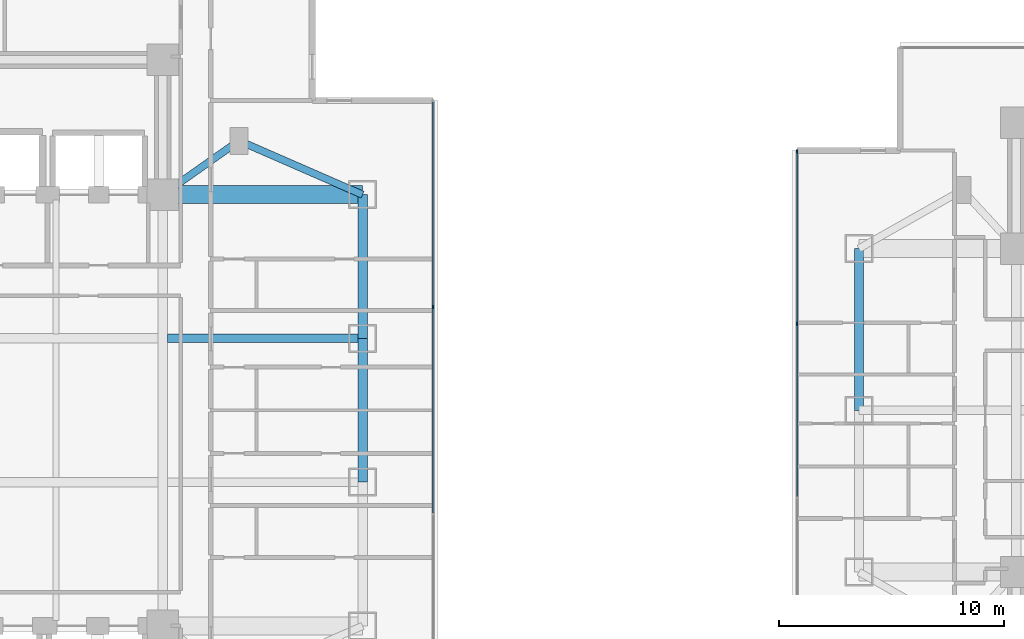
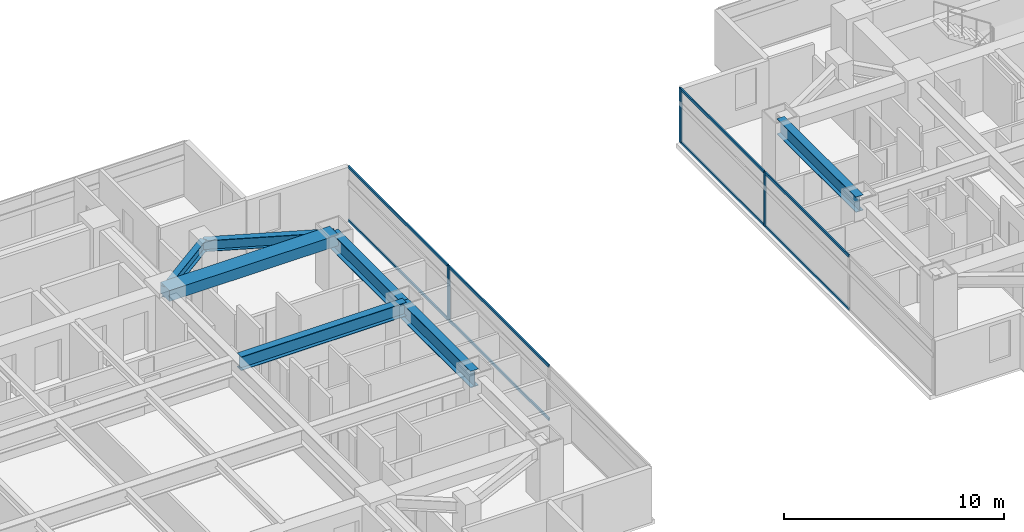
# One storey, part 5 of 23: 11 members, 7 beams, 2 elements without a shape of their own.
"""IFC4 building model written with IfcOpenShell, lengths in metres."""

import ifcopenshell
import ifcopenshell.guid

model = None  # the IFC model being written
_history = None  # IfcOwnerHistory: only IFC2X3 demands one
_inside = {}  # id of a spatial element -> (the spatial element, [elements in it])
_under = {}  # id of a project, library or spatial element -> (it, [spatial elements below it])
_declared = {}  # id of a project -> (the project, [libraries it declares])
_typed = {}  # id of a type object -> (the type object, [elements of that type])
_made_of = {}  # id of a material, layer set ... -> (it, [elements and type objects made of it])


def new_model(schema):
    """Start an empty IFC model of exactly this schema.

    Asked for "IFC4X3", IfcOpenShell would pick the latest addendum, in which some entities
    have other attributes; the version numbers below select the first issue.
    IFC2X3 requires an IfcOwnerHistory on every rooted entity: one is made here for all.
    """
    global model, _history
    if schema == "IFC4X3":
        model = ifcopenshell.file(schema_version=(4, 3, 0, 0))
    else:
        model = ifcopenshell.file(schema=schema)
    _inside.clear()
    _under.clear()
    _declared.clear()
    _typed.clear()
    _made_of.clear()
    _history = None
    if model.schema == "IFC2X3":
        org = make("IfcOrganization", Name="unknown")
        user = make(
            "IfcPersonAndOrganization",
            ThePerson=make("IfcPerson", FamilyName="unknown"),
            TheOrganization=org,
        )
        app = make(
            "IfcApplication",
            ApplicationDeveloper=org,
            Version="unknown",
            ApplicationFullName="unknown",
            ApplicationIdentifier="unknown",
        )
        _history = make(
            "IfcOwnerHistory",
            OwningUser=user,
            OwningApplication=app,
            ChangeAction="ADDED",
            CreationDate=0,
        )
    return model


def make(cls, **values):
    """One entity of the class cls with the attributes given. An attribute that is None is left unset."""
    return model.create_entity(
        cls, **{name: value for name, value in values.items() if value is not None}
    )


def rooted(cls, **values):
    """An entity with a GlobalId (a new one), such as an element, a storey or a relation."""
    return make(cls, GlobalId=ifcopenshell.guid.new(), OwnerHistory=_history, **values)


def si_unit(unit_type, name, prefix=None):
    """IfcSIUnit, for example si_unit("LENGTHUNIT", "METRE", prefix="MILLI")."""
    return make("IfcSIUnit", UnitType=unit_type, Prefix=prefix, Name=name)


def assignment(units):
    """IfcUnitAssignment: the units of a project."""
    return None if units is None else make("IfcUnitAssignment", Units=units)


def point(xyz):
    """IfcCartesianPoint."""
    return None if xyz is None else make("IfcCartesianPoint", Coordinates=xyz)


def direction(xyz):
    """IfcDirection."""
    return None if xyz is None else make("IfcDirection", DirectionRatios=xyz)


def frame(location, z_axis=None, x_axis=None):
    """IfcAxis2Placement3D, a coordinate frame: its origin and axes. An axis left out is left unset."""
    return make(
        "IfcAxis2Placement3D",
        Location=point(location),
        Axis=direction(z_axis),
        RefDirection=direction(x_axis),
    )


def frame_2d(location, x_axis=None):
    """IfcAxis2Placement2D, a coordinate frame in the plane: its origin and x axis."""
    return make(
        "IfcAxis2Placement2D", Location=point(location), RefDirection=direction(x_axis)
    )


def origin():
    """The frame at (0, 0, 0) with its axes left unset."""
    return frame((0.0, 0.0, 0.0))


def origin_2d():
    """The frame at (0, 0) in the plane with its x axis left unset."""
    return frame_2d((0.0, 0.0))


def place(relative_to, where):
    """IfcLocalPlacement: puts the frame where relative to a parent placement (None: the world)."""
    return make(
        "IfcLocalPlacement", PlacementRelTo=relative_to, RelativePlacement=where
    )


def context(
    kind, dimensions, precision=None, world=None, true_north=None, identifier=None
):
    """IfcGeometricRepresentationContext, for example the 3D "Model" context."""
    return make(
        "IfcGeometricRepresentationContext",
        ContextIdentifier=identifier,
        ContextType=kind,
        CoordinateSpaceDimension=dimensions,
        Precision=precision,
        WorldCoordinateSystem=world,
        TrueNorth=true_north,
    )


def subcontext(parent, identifier, kind, view, scale=None):
    """IfcGeometricRepresentationSubContext, for example "Body" below "Model"."""
    return make(
        "IfcGeometricRepresentationSubContext",
        ContextIdentifier=identifier,
        ContextType=kind,
        ParentContext=parent,
        TargetScale=scale,
        TargetView=view,
    )


def project(units=None, contexts=None):
    """IfcProject with its units and contexts."""
    return rooted(
        "IfcProject",
        Name="project",
        RepresentationContexts=contexts,
        UnitsInContext=assignment(units),
    )


def spatial(cls, under=None, at=None, **own):
    """A site, building, storey or space (cls), placed at a placement, below another one or the project."""
    s = rooted(cls, ObjectPlacement=at, **own)
    if under is not None:
        _under.setdefault(under.id(), (under, []))[1].append(s)
    return s


def profile(cls, at=None, kind="AREA", **sizes):
    """A parametric profile (cls). Its sizes go by their IFC names, for example OverallWidth=200.0."""
    return make(cls, ProfileType=kind, Position=at, **sizes)


def rectangle(**sizes):
    """IfcRectangleProfileDef."""
    return profile("IfcRectangleProfileDef", **sizes)


def i_section(**sizes):
    """IfcIShapeProfileDef."""
    return profile("IfcIShapeProfileDef", **sizes)


def extrude(swept, where, along, depth):
    """IfcExtrudedAreaSolid: the profile swept, set in the frame where, extruded along a direction by depth."""
    return make(
        "IfcExtrudedAreaSolid",
        SweptArea=swept,
        Position=where,
        ExtrudedDirection=direction(along),
        Depth=depth,
    )


def shape(context_of_items, identifier, shape_type, items):
    """IfcShapeRepresentation: the items that make up one representation, for example the "Body"."""
    return make(
        "IfcShapeRepresentation",
        ContextOfItems=context_of_items,
        RepresentationIdentifier=identifier,
        RepresentationType=shape_type,
        Items=items,
    )


def material(Name=None, Category=None):
    """IfcMaterial."""
    return make("IfcMaterial", Name=Name, Category=Category)


def material_profile(
    of_material, cross_section, Name=None, Category=None, Priority=None
):
    """IfcMaterialProfile: a cross section and its material."""
    return make(
        "IfcMaterialProfile",
        Name=Name,
        Material=of_material,
        Profile=cross_section,
        Priority=Priority,
        Category=Category,
    )


def profile_set(profiles, Name=None, composite=None):
    """IfcMaterialProfileSet."""
    return make(
        "IfcMaterialProfileSet",
        Name=Name,
        MaterialProfiles=profiles,
        CompositeProfile=composite,
    )


def made_of(thing, what):
    """Note that an element or type object is made of a material, layer set ...; save() writes the relation."""
    if what is not None:
        _made_of.setdefault(what.id(), (what, []))[1].append(thing)
    return thing


def type_object(cls, material=None, **own):
    """A type object (cls), such as IfcWallType, which elements share."""
    return made_of(rooted(cls, **own), material)


def element(
    cls,
    number,
    at=None,
    inside=None,
    cuts=None,
    type_object=None,
    material=None,
    context=None,
    identifier="Body",
    shape_type=None,
    held_by="IfcProductDefinitionShape",
    body=None,
    shapes=None,
    **own,
):
    """One element of the class cls, such as IfcWall. Its Tag is "e" and its number.

    at: its placement. inside: the storey or other place that contains it. cuts: it is an
    opening in that element (IfcRelVoidsElement). A single representation is given by context,
    identifier, shape_type and body (its items); several are given by shapes. held_by: the class
    of the entity that holds the representations. save() writes the other relations.
    """
    e = rooted(cls, Tag="e%d" % number, ObjectPlacement=at, **own)
    if body is not None:
        shapes = [shape(context, identifier, shape_type, body)]
    if shapes is not None:
        e.Representation = make(held_by, Representations=shapes)
    if inside is not None:
        _inside.setdefault(inside.id(), (inside, []))[1].append(e)
    if cuts is not None:
        rooted(
            "IfcRelVoidsElement", RelatingBuildingElement=cuts, RelatedOpeningElement=e
        )
    if type_object is not None:
        _typed.setdefault(type_object.id(), (type_object, []))[1].append(e)
    return made_of(e, material)


def aggregate(whole, parts):
    """IfcRelAggregates: a whole, such as a stair, and the parts it consists of."""
    return rooted("IfcRelAggregates", RelatingObject=whole, RelatedObjects=parts)


def save(model, path):
    """Write the relations noted so far, then the file.

    IfcRelAggregates (storeys below a building ...), IfcRelContainedInSpatialStructure (elements
    in a storey), IfcRelDefinesByType, IfcRelAssociatesMaterial and IfcRelDeclares: one each for
    every whole, place, type object, material and project.
    """
    for whole, parts in _under.values():
        aggregate(whole, parts)
    for where, things in _inside.values():
        rooted(
            "IfcRelContainedInSpatialStructure",
            RelatedElements=things,
            RelatingStructure=where,
        )
    for kind, things in _typed.values():
        rooted("IfcRelDefinesByType", RelatedObjects=things, RelatingType=kind)
    for what, things in _made_of.values():
        rooted("IfcRelAssociatesMaterial", RelatedObjects=things, RelatingMaterial=what)
    for by, libraries in _declared.values():
        rooted("IfcRelDeclares", RelatingContext=by, RelatedDefinitions=libraries)
    model.write(path)


model = new_model("IFC4")

# Units and contexts
model_context = context("Model", 3, precision=1e-05, world=origin(), true_north=direction((0.0, 1.0)))
body_context = subcontext(model_context, "Body", "Model", "MODEL_VIEW")
ifc_project = project(units=[si_unit("LENGTHUNIT", "METRE"), si_unit("AREAUNIT", "SQUARE_METRE"), si_unit("VOLUMEUNIT", "CUBIC_METRE"), si_unit("PLANEANGLEUNIT", "RADIAN"), si_unit("MASSUNIT", "GRAM", prefix="KILO")], contexts=[model_context])

# Site, building, storey
site_placement = place(None, origin())
site = spatial("IfcSite", under=ifc_project, at=site_placement, CompositionType="ELEMENT")
building_placement = place(site_placement, origin())
building = spatial("IfcBuilding", under=site, at=building_placement, Name="Mirazonda Arch Towers", CompositionType="ELEMENT")
storey_placement = place(building_placement, frame((0.0, 0.0, 29.0)))
storey = spatial("IfcBuildingStorey", under=building, at=storey_placement, Name="L07", CompositionType="ELEMENT", Elevation=29.0)

# Beams
ifc_material_1 = material(Name="Steel ASTM A992 Grade 50", Category="steel")
ifc_material_profile_1 = material_profile(ifc_material_1, i_section(OverallWidth=0.39990234375, OverallDepth=0.85595703125, WebThickness=0.018310546875, FlangeThickness=0.029296875, at=origin_2d()), Name="W33X201")
ifc_profile_set_1 = profile_set([ifc_material_profile_1], Name="Steel ASTM A992 Grade 50")
beam_type_1 = type_object("IfcBeamType", Name="BM-EXT-W33X201", PredefinedType="USERDEFINED", material=ifc_profile_set_1)
beam_1_placement = place(storey_placement, frame((61.0, 28.0, 2.632080078125), z_axis=(0.0, 1.0, 0.0), x_axis=(-1.0, 0.0, 0.0)))
element("IfcBeam", 1, at=beam_1_placement, inside=storey, type_object=beam_type_1, Name="L07 Floor Beam BM-T2-L07-NS-W-28", ObjectType="GIRDER", PredefinedType="USERDEFINED", context=body_context, shape_type="SweptSolid", body=[
    extrude(i_section(OverallWidth=0.39990234375, OverallDepth=0.85595703125, WebThickness=0.018310546875, FlangeThickness=0.029296875, at=origin_2d()), origin(), (0.0, 0.0, 1.0), 7.199951171875),
])
ifc_material_profile_2 = material_profile(ifc_material_1, i_section(OverallWidth=0.41796875, OverallDepth=0.927001953125, WebThickness=0.019287109375, FlangeThickness=0.031982421875, at=origin_2d()), Name="W36X231")
ifc_profile_set_2 = profile_set([ifc_material_profile_2], Name="Steel ASTM A992 Grade 50")
beam_type_2 = type_object("IfcBeamType", Name="BM-EXT-W36X231", PredefinedType="USERDEFINED", material=ifc_profile_set_2)
beam_2_placement = place(storey_placement, frame((38.89990234375, 24.800048828125, 2.596435546875), z_axis=(0.0, 1.0, 0.0), x_axis=(-1.0, 0.0, 0.0)))
element("IfcBeam", 2, at=beam_2_placement, inside=storey, type_object=beam_type_2, Name="L07 Floor Beam BM-T1-L07-NS-E-24", ObjectType="GIRDER", PredefinedType="USERDEFINED", context=body_context, shape_type="SweptSolid", body=[
    extrude(i_section(OverallWidth=0.41796875, OverallDepth=0.927001953125, WebThickness=0.019287109375, FlangeThickness=0.031982421875, at=origin_2d()), origin(), (0.0, 0.0, 1.0), 6.39990234375),
])
beam_3_placement = place(storey_placement, frame((38.89990234375, 31.199951171875, 2.596435546875), z_axis=(0.0, 1.0, 0.0), x_axis=(-1.0, 0.0, 0.0)))
element("IfcBeam", 3, at=beam_3_placement, inside=storey, type_object=beam_type_2, Name="L07 Floor Beam BM-T1-L07-NS-E-31", ObjectType="GIRDER", PredefinedType="USERDEFINED", context=body_context, shape_type="SweptSolid", body=[
    extrude(i_section(OverallWidth=0.41796875, OverallDepth=0.927001953125, WebThickness=0.019287109375, FlangeThickness=0.031982421875, at=origin_2d()), origin(), (0.0, 0.0, 1.0), 6.400146484375),
])
ifc_material_profile_3 = material_profile(ifc_material_1, i_section(OverallWidth=0.324951171875, OverallDepth=0.615966796875, WebThickness=0.013916015625, FlangeThickness=0.021484375, at=origin_2d()), Name="W24X117")
ifc_profile_set_3 = profile_set([ifc_material_profile_3], Name="Steel ASTM A992 Grade 50")
beam_type_3 = type_object("IfcBeamType", Name="BM-INT-W24X117", PredefinedType="BEAM", material=ifc_profile_set_3)
beam_4_placement = place(storey_placement, frame((33.39990234375, 40.0, 2.751953125), z_axis=(-0.816971114901, -0.576678591087, 0.0), x_axis=(0.576678591087, -0.816971114901, 0.0)))
element("IfcBeam", 4, at=beam_4_placement, inside=storey, type_object=beam_type_3, Name="L07 Floor Beam BM-T1-L07-PL-NE1", PredefinedType="BEAM", context=body_context, shape_type="SweptSolid", body=[
    extrude(i_section(OverallWidth=0.324951171875, OverallDepth=0.615966796875, WebThickness=0.013916015625, FlangeThickness=0.021484375, at=origin_2d()), origin(), (0.0, 0.0, 1.0), 4.16162109375),
])
beam_5_placement = place(storey_placement, frame((33.39990234375, 40.0, 2.751953125), z_axis=(0.916545343703, -0.399930785183, 0.0), x_axis=(0.399930785183, 0.916545343703, 0.0)))
element("IfcBeam", 5, at=beam_5_placement, inside=storey, type_object=beam_type_3, Name="L07 Floor Beam BM-T1-L07-PL-NE2", PredefinedType="BEAM", context=body_context, shape_type="SweptSolid", body=[
    extrude(i_section(OverallWidth=0.324951171875, OverallDepth=0.615966796875, WebThickness=0.013916015625, FlangeThickness=0.021484375, at=origin_2d()), origin(), (0.0, 0.0, 1.0), 6.000732421875),
])
ifc_material_profile_4 = material_profile(ifc_material_1, i_section(OverallWidth=0.381103515625, OverallDepth=0.77294921875, WebThickness=0.0166015625, FlangeThickness=0.027099609375, at=origin_2d()), Name="W30X173")
ifc_profile_set_4 = profile_set([ifc_material_profile_4], Name="Steel ASTM A992 Grade 50")
beam_type_4 = type_object("IfcBeamType", Name="BM-INT-W30X173", PredefinedType="USERDEFINED", material=ifc_profile_set_4)
beam_6_placement = place(storey_placement, frame((30.21142578125, 31.199951171875, 2.673583984375), z_axis=(1.0, 0.0, 0.0), x_axis=(0.0, 1.0, 0.0)))
element("IfcBeam", 6, at=beam_6_placement, inside=storey, type_object=beam_type_4, Name="L07 Floor Beam BM-T1-L07-GE3", ObjectType="GIRDER", PredefinedType="USERDEFINED", context=body_context, shape_type="SweptSolid", body=[
    extrude(i_section(OverallWidth=0.381103515625, OverallDepth=0.77294921875, WebThickness=0.0166015625, FlangeThickness=0.027099609375, at=origin_2d()), origin(), (0.0, 0.0, 1.0), 8.6884765625),
])
ifc_material_2 = material(Name="Concrete C60/75", Category="concrete")
ifc_material_profile_5 = material_profile(ifc_material_2, rectangle(XDim=0.800048828125, YDim=0.60009765625, at=origin_2d()), Name="RCCB800x600")
ifc_profile_set_5 = profile_set([ifc_material_profile_5], Name="Concrete C60/75")
beam_type_5 = type_object("IfcBeamType", Name="CB-INT-RCCB800x600", PredefinedType="SPANDREL", material=ifc_profile_set_5)
beam_7_placement = place(storey_placement, frame((30.0, 37.60009765625, 2.760009765625), z_axis=(1.0, 0.0, 0.0), x_axis=(0.0, 1.0, 0.0)))
element("IfcBeam", 7, at=beam_7_placement, inside=storey, type_object=beam_type_5, Name="L07 Floor Beam CBC-T1-L07-NE", PredefinedType="SPANDREL", context=body_context, shape_type="SweptSolid", body=[
    extrude(rectangle(XDim=0.800048828125, YDim=0.60009765625, at=origin_2d()), origin(), (0.0, 0.0, 1.0), 8.89990234375),
])

# Curtain wall, member
ifc_material_3 = material(Name="Anodised Aluminium and Low-E Glass", Category="aluminium")
curtain_wall_type = type_object("IfcCurtainWallType", Name="CW-HTL-UNIT", PredefinedType="NOTDEFINED", material=ifc_material_3)
curtain_wall_1_placement = place(storey_placement, origin())
curtain_wall_1 = element("IfcCurtainWall", 8, at=curtain_wall_1_placement, inside=storey, type_object=curtain_wall_type, Name="L07 T1 E Facade CW-L07-T1-E", PredefinedType="NOTDEFINED")
ifc_material_4 = material(Name="Anodised Aluminium Alloy", Category="aluminium")
ifc_material_profile_6 = material_profile(ifc_material_4, rectangle(XDim=0.074951171875, YDim=0.1650390625, at=origin_2d()), Name="ALU-MULL-75x165")
ifc_profile_set_6 = profile_set([ifc_material_profile_6], Name="Anodised Aluminium Alloy")
member_type_1 = type_object("IfcMemberType", Name="MULL-CW-HTL-UNIT", PredefinedType="MULLION", material=ifc_profile_set_6)
member_1_placement = place(storey_placement, frame((42.0400390625, 32.5986328125, 0.0), z_axis=(0.0, 0.0, 1.0), x_axis=(-1.0, 0.0, 0.0)))
member_1 = element("IfcMember", 9, at=member_1_placement, type_object=member_type_1, Name="CW-112 mullion 3", PredefinedType="MULLION", context=body_context, shape_type="SweptSolid", body=[
    extrude(rectangle(XDim=0.074951171875, YDim=0.1650390625, at=origin_2d()), origin(), (0.0, 0.0, 1.0), 3.0400390625),
])

# Curtain wall, members
curtain_wall_2_placement = place(storey_placement, origin())
curtain_wall_2 = element("IfcCurtainWall", 10, at=curtain_wall_2_placement, inside=storey, type_object=curtain_wall_type, Name="L07 T2 W Facade CW-L07-T2-W", PredefinedType="NOTDEFINED")
member_2_placement = place(storey_placement, frame((58.243896484375, 39.529052734375, 0.0), z_axis=(0.0, 0.0, 1.0), x_axis=(1.0, 0.0, 0.0)))
member_2 = element("IfcMember", 11, at=member_2_placement, type_object=member_type_1, Name="CW-112 mullion 1", PredefinedType="MULLION", context=body_context, shape_type="SweptSolid", body=[
    extrude(rectangle(XDim=0.074951171875, YDim=0.1650390625, at=origin_2d()), origin(), (0.0, 0.0, 1.0), 3.0400390625),
])
member_3_placement = place(storey_placement, frame((58.243896484375, 31.85546875, 0.0), z_axis=(0.0, 0.0, 1.0), x_axis=(1.0, 0.0, 0.0)))
member_3 = element("IfcMember", 12, at=member_3_placement, type_object=member_type_1, Name="CW-112 mullion 2", PredefinedType="MULLION", context=body_context, shape_type="SweptSolid", body=[
    extrude(rectangle(XDim=0.074951171875, YDim=0.1650390625, at=origin_2d()), origin(), (0.0, 0.0, 1.0), 3.0400390625),
])

# Member
ifc_material_profile_7 = material_profile(ifc_material_4, rectangle(XDim=0.074951171875, YDim=0.14501953125, at=origin_2d()), Name="ALU-TRAN-75x145")
ifc_profile_set_7 = profile_set([ifc_material_profile_7], Name="Anodised Aluminium Alloy")
member_type_2 = type_object("IfcMemberType", Name="TRAN-CW-HTL-UNIT", PredefinedType="USERDEFINED", material=ifc_profile_set_7)
member_4_placement = place(storey_placement, frame((42.0400390625, 23.438720703125, 0.03759765625), z_axis=(0.0, 1.0, 0.0), x_axis=(-1.0, 0.0, 0.0)))
member_4 = element("IfcMember", 13, at=member_4_placement, type_object=member_type_2, Name="CW-112 transom 2.1", ObjectType="TRANSOM", PredefinedType="USERDEFINED", context=body_context, shape_type="SweptSolid", body=[
    extrude(rectangle(XDim=0.074951171875, YDim=0.14501953125, at=origin_2d()), origin(), (0.0, 0.0, 1.0), 9.12255859375),
])

member_5_placement = place(storey_placement, frame((42.0400390625, 23.438720703125, 3.00244140625), z_axis=(0.0, 1.0, 0.0), x_axis=(-1.0, 0.0, 0.0)))
member_5 = element("IfcMember", 14, at=member_5_placement, type_object=member_type_2, Name="CW-112 transom 2.2", ObjectType="TRANSOM", PredefinedType="USERDEFINED", context=body_context, shape_type="SweptSolid", body=[
    extrude(rectangle(XDim=0.074951171875, YDim=0.14501953125, at=origin_2d()), origin(), (0.0, 0.0, 1.0), 9.12255859375),
])

member_6_placement = place(storey_placement, frame((42.0400390625, 32.63623046875, 0.03759765625), z_axis=(0.0, 1.0, 0.0), x_axis=(-1.0, 0.0, 0.0)))
member_6 = element("IfcMember", 15, at=member_6_placement, type_object=member_type_2, Name="CW-112 transom 3.1", ObjectType="TRANSOM", PredefinedType="USERDEFINED", context=body_context, shape_type="SweptSolid", body=[
    extrude(rectangle(XDim=0.074951171875, YDim=0.14501953125, at=origin_2d()), origin(), (0.0, 0.0, 1.0), 9.084716796875),
])

member_7_placement = place(storey_placement, frame((42.0400390625, 32.63623046875, 3.00244140625), z_axis=(0.0, 1.0, 0.0), x_axis=(-1.0, 0.0, 0.0)))
member_7 = element("IfcMember", 16, at=member_7_placement, type_object=member_type_2, Name="CW-112 transom 3.2", ObjectType="TRANSOM", PredefinedType="USERDEFINED", context=body_context, shape_type="SweptSolid", body=[
    extrude(rectangle(XDim=0.074951171875, YDim=0.14501953125, at=origin_2d()), origin(), (0.0, 0.0, 1.0), 9.084716796875),
])

aggregate(curtain_wall_1, [member_1, member_4, member_5, member_6, member_7])

member_8_placement = place(storey_placement, frame((58.243896484375, 39.49169921875, 0.03759765625), z_axis=(0.0, -1.0, 0.0), x_axis=(1.0, 0.0, 0.0)))
member_8 = element("IfcMember", 17, at=member_8_placement, type_object=member_type_2, Name="CW-112 transom 1.1", ObjectType="TRANSOM", PredefinedType="USERDEFINED", context=body_context, shape_type="SweptSolid", body=[
    extrude(rectangle(XDim=0.074951171875, YDim=0.14501953125, at=origin_2d()), origin(), (0.0, 0.0, 1.0), 7.5986328125),
])

member_9_placement = place(storey_placement, frame((58.243896484375, 39.49169921875, 3.00244140625), z_axis=(0.0, -1.0, 0.0), x_axis=(1.0, 0.0, 0.0)))
member_9 = element("IfcMember", 18, at=member_9_placement, type_object=member_type_2, Name="CW-112 transom 1.2", ObjectType="TRANSOM", PredefinedType="USERDEFINED", context=body_context, shape_type="SweptSolid", body=[
    extrude(rectangle(XDim=0.074951171875, YDim=0.14501953125, at=origin_2d()), origin(), (0.0, 0.0, 1.0), 7.5986328125),
])

member_10_placement = place(storey_placement, frame((58.243896484375, 31.818115234375, 0.03759765625), z_axis=(0.0, -1.0, 0.0), x_axis=(1.0, 0.0, 0.0)))
member_10 = element("IfcMember", 19, at=member_10_placement, type_object=member_type_2, Name="CW-112 transom 2.1", ObjectType="TRANSOM", PredefinedType="USERDEFINED", context=body_context, shape_type="SweptSolid", body=[
    extrude(rectangle(XDim=0.074951171875, YDim=0.14501953125, at=origin_2d()), origin(), (0.0, 0.0, 1.0), 7.63623046875),
])

member_11_placement = place(storey_placement, frame((58.243896484375, 31.818115234375, 3.00244140625), z_axis=(0.0, -1.0, 0.0), x_axis=(1.0, 0.0, 0.0)))
member_11 = element("IfcMember", 20, at=member_11_placement, type_object=member_type_2, Name="CW-112 transom 2.2", ObjectType="TRANSOM", PredefinedType="USERDEFINED", context=body_context, shape_type="SweptSolid", body=[
    extrude(rectangle(XDim=0.074951171875, YDim=0.14501953125, at=origin_2d()), origin(), (0.0, 0.0, 1.0), 7.63623046875),
])

aggregate(curtain_wall_2, [member_2, member_3, member_8, member_9, member_10, member_11])

save(model, "model.ifc")
